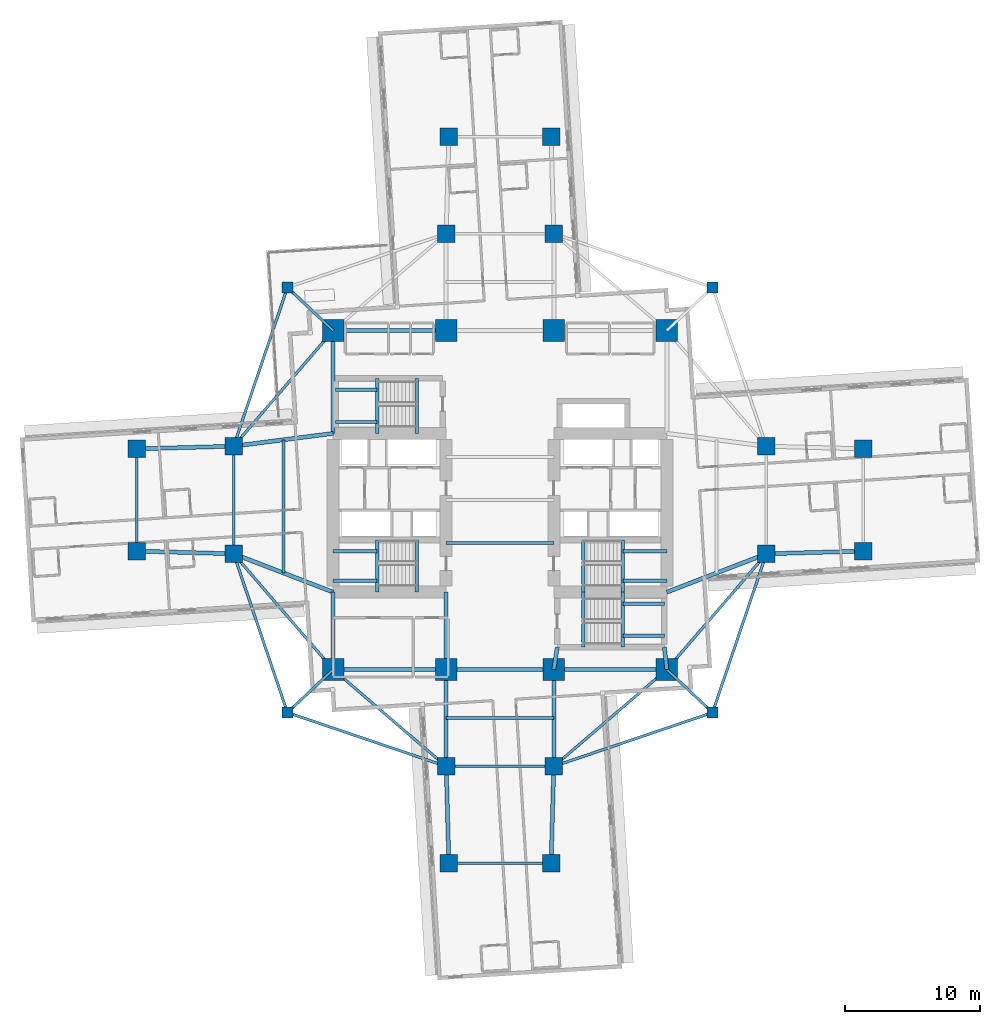
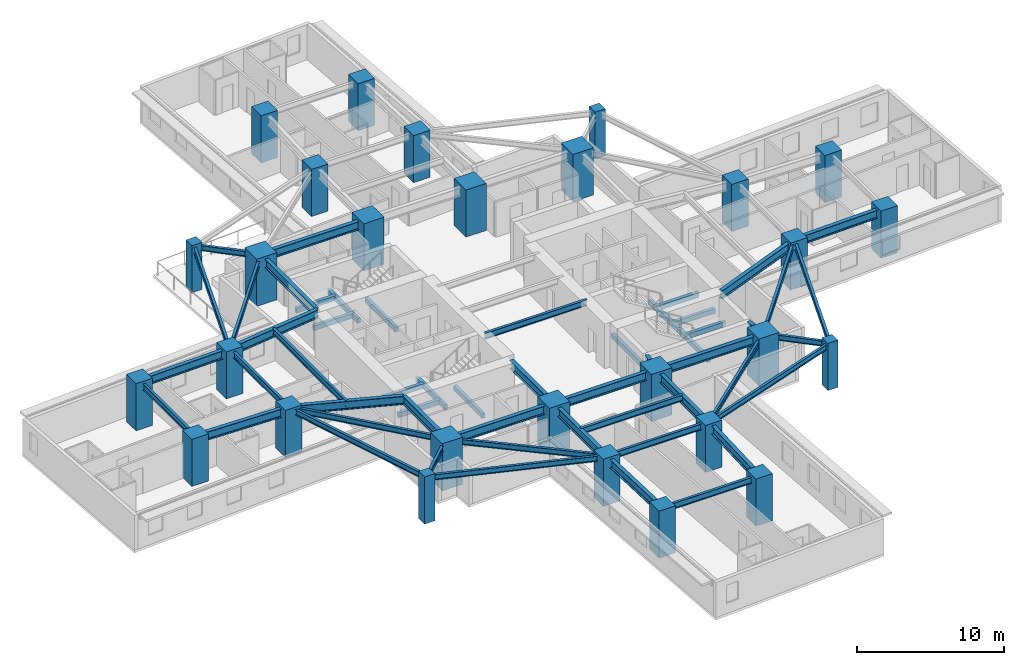
# One storey, part 1 of 14: 55 beams, 28 columns.
"""IFC4 building model written with IfcOpenShell, lengths in metres."""

from ifc_helpers import new_model, si_unit, direction, frame, origin, origin_2d, place, context, subcontext, project, spatial, rectangle, i_section, extrude, material, material_profile, profile_set, type_object, element, save


model = new_model("IFC4")

# Units and contexts
model_context = context("Model", 3, precision=1e-05, world=origin(), true_north=direction((0.0, 1.0)))
body_context = subcontext(model_context, "Body", "Model", "MODEL_VIEW")
ifc_project = project(units=[si_unit("LENGTHUNIT", "METRE"), si_unit("AREAUNIT", "SQUARE_METRE"), si_unit("VOLUMEUNIT", "CUBIC_METRE"), si_unit("PLANEANGLEUNIT", "RADIAN"), si_unit("MASSUNIT", "GRAM", prefix="KILO")], contexts=[model_context])

# Site, building, storey
site_placement = place(None, origin())
site = spatial("IfcSite", under=ifc_project, at=site_placement, CompositionType="ELEMENT")
building_placement = place(site_placement, origin())
building = spatial("IfcBuilding", under=site, at=building_placement, Name="Qingluan Cross Belvedere", CompositionType="ELEMENT")
storey_placement = place(building_placement, frame((0.0, 0.0, 39.300048828125)))
storey = spatial("IfcBuildingStorey", under=building, at=storey_placement, Name="L10", CompositionType="ELEMENT", Elevation=39.300048828125)

# Columns
ifc_material_1 = material(Name="Concrete C60", Category="concrete")
ifc_material_profile_1 = material_profile(ifc_material_1, rectangle(XDim=1.300048828125, YDim=1.300048828125, at=origin_2d()), Name="RC1300x1300")
ifc_profile_set_1 = profile_set([ifc_material_profile_1], Name="Concrete C60")
column_type_1 = type_object("IfcColumnType", Name="Column_RC1300x1300", PredefinedType="COLUMN", material=ifc_profile_set_1)
for number, where, z_axis, x_axis, name in (
    (1, (19.800048828125, -4.0, 0.0), (0.0, 0.0, 1.0), (1.0, 0.0, 0.0), "Arm column L10-EIA"),
    (2, (19.800048828125, 4.0, 0.0), (0.0, 0.0, 1.0), (1.0, 0.0, 0.0), "Arm column L10-EIB"),
    (3, (-19.800048828125, -4.0, 0.0), (0.0, 0.0, 1.0), (1.0, 0.0, 0.0), "Arm column L10-WIA"),
    (4, (-19.800048828125, 4.0, 0.0), (0.0, 0.0, 1.0), (1.0, 0.0, 0.0), "Arm column L10-WIB"),
    (5, (-4.0, -19.800048828125, 0.0), (0.0, 0.0, 1.0), (1.0, 0.0, 0.0), "Arm column L10-SIA"),
    (6, (4.0, -19.800048828125, 0.0), (0.0, 0.0, 1.0), (1.0, 0.0, 0.0), "Arm column L10-SIB"),
    (7, (-4.0, 19.800048828125, 0.0), (0.0, 0.0, 1.0), (1.0, 0.0, 0.0), "Arm column L10-NIA"),
    (8, (4.0, 19.800048828125, 0.0), (0.0, 0.0, 1.0), (1.0, 0.0, 0.0), "Arm column L10-NIB"),
    (9, (27.0, -3.800048828125, 0.0), (0.0, 0.0, 1.0), (1.0, 0.0, 0.0), "Arm column L10-EOA"),
    (10, (27.0, 3.800048828125, 0.0), (0.0, 0.0, 1.0), (1.0, 0.0, 0.0), "Arm column L10-EOB"),
    (11, (-27.0, -3.800048828125, 0.0), (0.0, 0.0, 1.0), (1.0, 0.0, 0.0), "Arm column L10-WOA"),
    (12, (-27.0, 3.800048828125, 0.0), (0.0, 0.0, 1.0), (1.0, 0.0, 0.0), "Arm column L10-WOB"),
    (13, (-3.800048828125, -27.0, 0.0), (0.0, 0.0, 1.0), (1.0, 0.0, 0.0), "Arm column L10-SOA"),
    (14, (3.800048828125, -27.0, 0.0), (0.0, 0.0, 1.0), (1.0, 0.0, 0.0), "Arm column L10-SOB"),
    (15, (-3.800048828125, 27.0, 0.0), (0.0, 0.0, 1.0), (1.0, 0.0, 0.0), "Arm column L10-NOA"),
    (16, (3.800048828125, 27.0, 0.0), (0.0, 0.0, 1.0), (1.0, 0.0, 0.0), "Arm column L10-NOB"),
):
    element("IfcColumn", number, at=place(storey_placement, frame(where, z_axis=z_axis, x_axis=x_axis)), inside=storey, type_object=column_type_1, Name=name, PredefinedType="COLUMN", context=body_context, shape_type="SweptSolid", body=[
        extrude(rectangle(XDim=1.300048828125, YDim=1.300048828125, at=origin_2d()), origin(), (0.0, 0.0, 1.0), 3.89990234375),
    ])
ifc_material_2 = material(Name="Concrete C70", Category="concrete")
ifc_material_profile_2 = material_profile(ifc_material_2, rectangle(XDim=1.60009765625, YDim=1.60009765625, at=origin_2d()), Name="RC1600x1600")
ifc_profile_set_2 = profile_set([ifc_material_profile_2], Name="Concrete C70")
column_type_2 = type_object("IfcColumnType", Name="Column_RC1600x1600", PredefinedType="COLUMN", material=ifc_profile_set_2)
for number, where, z_axis, x_axis, name in (
    (17, (-12.39990234375, -12.60009765625, 0.0), (0.0, 0.0, 1.0), (1.0, 0.0, 0.0), "Hub column L10-HC1"),
    (18, (12.39990234375, -12.60009765625, 0.0), (0.0, 0.0, 1.0), (1.0, 0.0, 0.0), "Hub column L10-HC2"),
    (19, (12.39990234375, 12.60009765625, 0.0), (0.0, 0.0, 1.0), (1.0, 0.0, 0.0), "Hub column L10-HC3"),
    (20, (-12.39990234375, 12.60009765625, 0.0), (0.0, 0.0, 1.0), (1.0, 0.0, 0.0), "Hub column L10-HC4"),
    (21, (-4.0, -12.60009765625, 0.0), (0.0, 0.0, 1.0), (1.0, 0.0, 0.0), "Hub column L10-HC5"),
    (22, (4.0, -12.60009765625, 0.0), (0.0, 0.0, 1.0), (1.0, 0.0, 0.0), "Hub column L10-HC6"),
    (23, (4.0, 12.60009765625, 0.0), (0.0, 0.0, 1.0), (1.0, 0.0, 0.0), "Hub column L10-HC7"),
    (24, (-4.0, 12.60009765625, 0.0), (0.0, 0.0, 1.0), (1.0, 0.0, 0.0), "Hub column L10-HC8"),
):
    element("IfcColumn", number, at=place(storey_placement, frame(where, z_axis=z_axis, x_axis=x_axis)), inside=storey, type_object=column_type_2, Name=name, PredefinedType="COLUMN", context=body_context, shape_type="SweptSolid", body=[
        extrude(rectangle(XDim=1.60009765625, YDim=1.60009765625, at=origin_2d()), origin(), (0.0, 0.0, 1.0), 3.89990234375),
    ])
ifc_material_3 = material(Name="Concrete C50", Category="concrete")
ifc_material_profile_3 = material_profile(ifc_material_3, rectangle(XDim=0.800048828125, YDim=0.800048828125, at=origin_2d()), Name="RC800x800")
ifc_profile_set_3 = profile_set([ifc_material_profile_3], Name="Concrete C50")
column_type_3 = type_object("IfcColumnType", Name="Column_RC800x800", PredefinedType="COLUMN", material=ifc_profile_set_3)
for number, where, z_axis, x_axis, name in (
    (25, (15.800048828125, 15.800048828125, 0.0), (0.0, 0.0, 1.0), (1.0, 0.0, 0.0), "Corner column L10-RNE"),
    (26, (-15.800048828125, 15.800048828125, 0.0), (0.0, 0.0, 1.0), (1.0, 0.0, 0.0), "Corner column L10-RNW"),
    (27, (-15.800048828125, -15.800048828125, 0.0), (0.0, 0.0, 1.0), (1.0, 0.0, 0.0), "Corner column L10-RSW"),
    (28, (15.800048828125, -15.800048828125, 0.0), (0.0, 0.0, 1.0), (1.0, 0.0, 0.0), "Corner column L10-RSE"),
):
    element("IfcColumn", number, at=place(storey_placement, frame(where, z_axis=z_axis, x_axis=x_axis)), inside=storey, type_object=column_type_3, Name=name, PredefinedType="COLUMN", context=body_context, shape_type="SweptSolid", body=[
        extrude(rectangle(XDim=0.800048828125, YDim=0.800048828125, at=origin_2d()), origin(), (0.0, 0.0, 1.0), 3.89990234375),
    ])

# Beams
ifc_material_4 = material(Name="Concrete C45", Category="concrete")
ifc_material_profile_4 = material_profile(ifc_material_4, rectangle(XDim=0.25, YDim=0.39990234375, at=origin_2d()), Name="RC250x400")
ifc_profile_set_4 = profile_set([ifc_material_profile_4], Name="Concrete C45")
beam_type_1 = type_object("IfcBeamType", Name="RC_Lintel_RC250x400", PredefinedType="LINTEL", material=ifc_profile_set_4)
for number, where, z_axis, x_axis, name in (
    (29, (-6.179931640625, -6.85009765625, -0.199951171875), (0.0, 1.0, 0.0), (-1.0, 0.0, 0.0), "Stair ST1 landing beam L10"),
    (30, (6.179931640625, -6.85009765625, -0.199951171875), (0.0, 1.0, 0.0), (-1.0, 0.0, 0.0), "Stair ST2 landing beam L10"),
):
    element("IfcBeam", number, at=place(storey_placement, frame(where, z_axis=z_axis, x_axis=x_axis)), inside=storey, type_object=beam_type_1, Name=name, PredefinedType="LINTEL", context=body_context, shape_type="SweptSolid", body=[
        extrude(rectangle(XDim=0.25, YDim=0.39990234375, at=origin_2d()), origin(), (0.0, 0.0, 1.0), 3.89013671875),
    ])
beam_1_placement = place(storey_placement, frame((-6.179931640625, 4.949951171875, -0.199951171875), z_axis=(0.0, 1.0, 0.0), x_axis=(-1.0, 0.0, 0.0)))
element("IfcBeam", 31, at=beam_1_placement, inside=storey, type_object=beam_type_1, Name="Stair ST3 landing beam L10", PredefinedType="LINTEL", context=body_context, shape_type="SweptSolid", body=[
    extrude(rectangle(XDim=0.25, YDim=0.39990234375, at=origin_2d()), origin(), (0.0, 0.0, 1.0), 4.090087890625),
])
beam_2_placement = place(storey_placement, frame((6.179931640625, -10.93994140625, -0.199951171875), z_axis=(0.0, 1.0, 0.0), x_axis=(-1.0, 0.0, 0.0)))
element("IfcBeam", 32, at=beam_2_placement, inside=storey, type_object=beam_type_1, Name="Stair ST4 landing beam L10", PredefinedType="LINTEL", context=body_context, shape_type="SweptSolid", body=[
    extrude(rectangle(XDim=0.25, YDim=0.39990234375, at=origin_2d()), origin(), (0.0, 0.0, 1.0), 4.08984375),
])
beam_3_placement = place(storey_placement, frame((-9.1298828125, -6.85009765625, 1.550048828125), z_axis=(0.0, 1.0, 0.0), x_axis=(-1.0, 0.0, 0.0)))
element("IfcBeam", 33, at=beam_3_placement, inside=storey, type_object=beam_type_1, Name="Stair ST1 beam A L10", PredefinedType="LINTEL", context=body_context, shape_type="SweptSolid", body=[
    extrude(rectangle(XDim=0.25, YDim=0.39990234375, at=origin_2d()), origin(), (0.0, 0.0, 1.0), 3.89013671875),
])
for number, where, z_axis, x_axis, name in (
    (34, (-12.39990234375, -6.0, 1.550048828125), (1.0, 0.0, 0.0), (0.0, 1.0, 0.0), "Stair ST1 beam B L10"),
    (35, (-12.39990234375, -3.81005859375, 1.550048828125), (1.0, 0.0, 0.0), (0.0, 1.0, 0.0), "Stair ST1 beam C L10"),
):
    element("IfcBeam", number, at=place(storey_placement, frame(where, z_axis=z_axis, x_axis=x_axis)), inside=storey, type_object=beam_type_1, Name=name, PredefinedType="LINTEL", context=body_context, shape_type="SweptSolid", body=[
        extrude(rectangle(XDim=0.25, YDim=0.39990234375, at=origin_2d()), origin(), (0.0, 0.0, 1.0), 3.27001953125),
    ])
beam_4_placement = place(storey_placement, frame((9.1298828125, -6.85009765625, 1.550048828125), z_axis=(0.0, 1.0, 0.0), x_axis=(-1.0, 0.0, 0.0)))
element("IfcBeam", 36, at=beam_4_placement, inside=storey, type_object=beam_type_1, Name="Stair ST2 beam A L10", PredefinedType="LINTEL", context=body_context, shape_type="SweptSolid", body=[
    extrude(rectangle(XDim=0.25, YDim=0.39990234375, at=origin_2d()), origin(), (0.0, 0.0, 1.0), 3.89013671875),
])
for number, where, z_axis, x_axis, name in (
    (37, (12.39990234375, -6.0, 1.550048828125), (-1.0, 0.0, 0.0), (0.0, -1.0, 0.0), "Stair ST2 beam B L10"),
    (38, (12.39990234375, -3.81005859375, 1.550048828125), (-1.0, 0.0, 0.0), (0.0, -1.0, 0.0), "Stair ST2 beam C L10"),
):
    element("IfcBeam", number, at=place(storey_placement, frame(where, z_axis=z_axis, x_axis=x_axis)), inside=storey, type_object=beam_type_1, Name=name, PredefinedType="LINTEL", context=body_context, shape_type="SweptSolid", body=[
        extrude(rectangle(XDim=0.25, YDim=0.39990234375, at=origin_2d()), origin(), (0.0, 0.0, 1.0), 3.27001953125),
    ])
beam_5_placement = place(storey_placement, frame((-9.1298828125, 4.949951171875, 1.550048828125), z_axis=(0.0, 1.0, 0.0), x_axis=(-1.0, 0.0, 0.0)))
element("IfcBeam", 39, at=beam_5_placement, inside=storey, type_object=beam_type_1, Name="Stair ST3 beam A L10", PredefinedType="LINTEL", context=body_context, shape_type="SweptSolid", body=[
    extrude(rectangle(XDim=0.25, YDim=0.39990234375, at=origin_2d()), origin(), (0.0, 0.0, 1.0), 4.090087890625),
])
for number, where, z_axis, x_axis, name in (
    (40, (-12.219970703125, 5.800048828125, 1.550048828125), (1.0, 0.0, 0.0), (0.0, 1.0, 0.0), "Stair ST3 beam B L10"),
    (41, (-12.219970703125, 8.18994140625, 1.550048828125), (1.0, 0.0, 0.0), (0.0, 1.0, 0.0), "Stair ST3 beam C L10"),
):
    element("IfcBeam", number, at=place(storey_placement, frame(where, z_axis=z_axis, x_axis=x_axis)), inside=storey, type_object=beam_type_1, Name=name, PredefinedType="LINTEL", context=body_context, shape_type="SweptSolid", body=[
        extrude(rectangle(XDim=0.25, YDim=0.39990234375, at=origin_2d()), origin(), (0.0, 0.0, 1.0), 3.090087890625),
    ])
beam_6_placement = place(storey_placement, frame((9.1298828125, -10.93994140625, 1.550048828125), z_axis=(0.0, 1.0, 0.0), x_axis=(-1.0, 0.0, 0.0)))
element("IfcBeam", 42, at=beam_6_placement, inside=storey, type_object=beam_type_1, Name="Stair ST4 beam A L10", PredefinedType="LINTEL", context=body_context, shape_type="SweptSolid", body=[
    extrude(rectangle(XDim=0.25, YDim=0.39990234375, at=origin_2d()), origin(), (0.0, 0.0, 1.0), 4.08984375),
])
for number, where, z_axis, x_axis, name in (
    (43, (12.219970703125, -10.090087890625, 1.550048828125), (-1.0, 0.0, 0.0), (0.0, -1.0, 0.0), "Stair ST4 beam B L10"),
    (44, (12.219970703125, -7.699951171875, 1.550048828125), (-1.0, 0.0, 0.0), (0.0, -1.0, 0.0), "Stair ST4 beam C L10"),
):
    element("IfcBeam", number, at=place(storey_placement, frame(where, z_axis=z_axis, x_axis=x_axis)), inside=storey, type_object=beam_type_1, Name=name, PredefinedType="LINTEL", context=body_context, shape_type="SweptSolid", body=[
        extrude(rectangle(XDim=0.25, YDim=0.39990234375, at=origin_2d()), origin(), (0.0, 0.0, 1.0), 3.090087890625),
    ])
ifc_material_5 = material(Name="Steel Q420GJB", Category="steel")
ifc_material_profile_5 = material_profile(ifc_material_5, i_section(OverallWidth=0.199951171875, OverallDepth=0.449951171875, WebThickness=0.009033203125, FlangeThickness=0.013916015625, FilletRadius=0.01611328125, at=origin_2d()), Name="HN450x200x9x14")
ifc_profile_set_5 = profile_set([ifc_material_profile_5], Name="Steel Q420GJB")
beam_type_2 = type_object("IfcBeamType", Name="Steel_Beam_HN450x200x9x14", PredefinedType="JOIST", material=ifc_profile_set_5)
beam_7_placement = place(storey_placement, frame((-12.39990234375, 12.60009765625, 3.454833984375), z_axis=(-0.728219948308, 0.685343495546, 0.0), x_axis=(-0.685343495546, -0.728219948308, 0.0)))
element("IfcBeam", 45, at=beam_7_placement, inside=storey, type_object=beam_type_2, Name="Corner beam 1 L10-RNW", PredefinedType="JOIST", context=body_context, shape_type="SweptSolid", body=[
    extrude(i_section(OverallWidth=0.199951171875, OverallDepth=0.449951171875, WebThickness=0.009033203125, FlangeThickness=0.013916015625, FilletRadius=0.01611328125, at=origin_2d()), origin(), (0.0, 0.0, 1.0), 4.669189453125),
])
beam_8_placement = place(storey_placement, frame((-15.800048828125, 15.800048828125, 3.454833984375), z_axis=(-0.321038089628, -0.947066283324, 0.0), x_axis=(0.947066283324, -0.321038089628, 0.0)))
element("IfcBeam", 46, at=beam_8_placement, inside=storey, type_object=beam_type_2, Name="Corner beam 3 L10-RNW", PredefinedType="JOIST", context=body_context, shape_type="SweptSolid", body=[
    extrude(i_section(OverallWidth=0.199951171875, OverallDepth=0.449951171875, WebThickness=0.009033203125, FlangeThickness=0.013916015625, FilletRadius=0.01611328125, at=origin_2d()), origin(), (0.0, 0.0, 1.0), 12.45947265625),
])
beam_9_placement = place(storey_placement, frame((-12.39990234375, 12.60009765625, 3.454833984375), z_axis=(-0.652245077546, -0.75800815221, 0.0), x_axis=(0.75800815221, -0.652245077546, 0.0)))
element("IfcBeam", 47, at=beam_9_placement, inside=storey, type_object=beam_type_2, Name="Corner beam 4 L10-RNW", PredefinedType="JOIST", context=body_context, shape_type="SweptSolid", body=[
    extrude(i_section(OverallWidth=0.199951171875, OverallDepth=0.449951171875, WebThickness=0.009033203125, FlangeThickness=0.013916015625, FilletRadius=0.01611328125, at=origin_2d()), origin(), (0.0, 0.0, 1.0), 11.345703125),
])
beam_10_placement = place(storey_placement, frame((-12.39990234375, -12.60009765625, 3.474853515625), z_axis=(-0.728219948308, -0.685343495546, 0.0), x_axis=(0.685343495546, -0.728219948308, 0.0)))
element("IfcBeam", 48, at=beam_10_placement, inside=storey, type_object=beam_type_2, Name="Corner beam 1 L10-RSW", PredefinedType="JOIST", context=body_context, shape_type="SweptSolid", body=[
    extrude(i_section(OverallWidth=0.199951171875, OverallDepth=0.449951171875, WebThickness=0.009033203125, FlangeThickness=0.013916015625, FilletRadius=0.01611328125, at=origin_2d()), origin(), (0.0, 0.0, 1.0), 4.669189453125),
])
for number, where, z_axis, x_axis, name in (
    (49, (-15.800048828125, -15.800048828125, 3.474853515625), (0.947066283324, -0.321038089628, 0.0), (0.321038089628, 0.947066283324, 0.0), "Corner beam 2 L10-RSW"),
    (50, (-15.800048828125, -15.800048828125, 3.474853515625), (-0.321038089628, 0.947066283324, 0.0), (-0.947066283324, -0.321038089628, 0.0), "Corner beam 3 L10-RSW"),
):
    element("IfcBeam", number, at=place(storey_placement, frame(where, z_axis=z_axis, x_axis=x_axis)), inside=storey, type_object=beam_type_2, Name=name, PredefinedType="JOIST", context=body_context, shape_type="SweptSolid", body=[
        extrude(i_section(OverallWidth=0.199951171875, OverallDepth=0.449951171875, WebThickness=0.009033203125, FlangeThickness=0.013916015625, FilletRadius=0.01611328125, at=origin_2d()), origin(), (0.0, 0.0, 1.0), 12.45947265625),
    ])
beam_11_placement = place(storey_placement, frame((-12.39990234375, -12.60009765625, 3.474853515625), z_axis=(-0.652245077546, 0.75800815221, 0.0), x_axis=(-0.75800815221, -0.652245077546, 0.0)))
element("IfcBeam", 51, at=beam_11_placement, inside=storey, type_object=beam_type_2, Name="Corner beam 4 L10-RSW", PredefinedType="JOIST", context=body_context, shape_type="SweptSolid", body=[
    extrude(i_section(OverallWidth=0.199951171875, OverallDepth=0.449951171875, WebThickness=0.009033203125, FlangeThickness=0.013916015625, FilletRadius=0.01611328125, at=origin_2d()), origin(), (0.0, 0.0, 1.0), 11.345703125),
])
beam_12_placement = place(storey_placement, frame((-12.39990234375, -12.60009765625, 3.474853515625), z_axis=(0.759255044656, -0.650793190779, 0.0), x_axis=(0.650793190779, 0.759255044656, 0.0)))
element("IfcBeam", 52, at=beam_12_placement, inside=storey, type_object=beam_type_2, Name="Corner beam 5 L10-RSW", PredefinedType="JOIST", context=body_context, shape_type="SweptSolid", body=[
    extrude(i_section(OverallWidth=0.199951171875, OverallDepth=0.449951171875, WebThickness=0.009033203125, FlangeThickness=0.013916015625, FilletRadius=0.01611328125, at=origin_2d()), origin(), (0.0, 0.0, 1.0), 11.063232421875),
])
beam_13_placement = place(storey_placement, frame((12.39990234375, -12.60009765625, 3.474853515625), z_axis=(0.728219948308, -0.685343495546, 0.0), x_axis=(0.685343495546, 0.728219948308, 0.0)))
element("IfcBeam", 53, at=beam_13_placement, inside=storey, type_object=beam_type_2, Name="Corner beam 1 L10-RSE", PredefinedType="JOIST", context=body_context, shape_type="SweptSolid", body=[
    extrude(i_section(OverallWidth=0.199951171875, OverallDepth=0.449951171875, WebThickness=0.009033203125, FlangeThickness=0.013916015625, FilletRadius=0.01611328125, at=origin_2d()), origin(), (0.0, 0.0, 1.0), 4.669189453125),
])
for number, where, z_axis, x_axis, name in (
    (54, (15.800048828125, -15.800048828125, 3.474853515625), (-0.947066283324, -0.321038089628, 0.0), (0.321038089628, -0.947066283324, 0.0), "Corner beam 2 L10-RSE"),
    (55, (15.800048828125, -15.800048828125, 3.474853515625), (0.321038089628, 0.947066283324, 0.0), (-0.947066283324, 0.321038089628, 0.0), "Corner beam 3 L10-RSE"),
):
    element("IfcBeam", number, at=place(storey_placement, frame(where, z_axis=z_axis, x_axis=x_axis)), inside=storey, type_object=beam_type_2, Name=name, PredefinedType="JOIST", context=body_context, shape_type="SweptSolid", body=[
        extrude(i_section(OverallWidth=0.199951171875, OverallDepth=0.449951171875, WebThickness=0.009033203125, FlangeThickness=0.013916015625, FilletRadius=0.01611328125, at=origin_2d()), origin(), (0.0, 0.0, 1.0), 12.45947265625),
    ])
beam_14_placement = place(storey_placement, frame((12.39990234375, -12.60009765625, 3.474853515625), z_axis=(0.652245077546, 0.75800815221, 0.0), x_axis=(-0.75800815221, 0.652245077546, 0.0)))
element("IfcBeam", 56, at=beam_14_placement, inside=storey, type_object=beam_type_2, Name="Corner beam 4 L10-RSE", PredefinedType="JOIST", context=body_context, shape_type="SweptSolid", body=[
    extrude(i_section(OverallWidth=0.199951171875, OverallDepth=0.449951171875, WebThickness=0.009033203125, FlangeThickness=0.013916015625, FilletRadius=0.01611328125, at=origin_2d()), origin(), (0.0, 0.0, 1.0), 11.345703125),
])
beam_15_placement = place(storey_placement, frame((12.39990234375, -12.60009765625, 3.474853515625), z_axis=(-0.759255044656, -0.650793190779, 0.0), x_axis=(0.650793190779, -0.759255044656, 0.0)))
element("IfcBeam", 57, at=beam_15_placement, inside=storey, type_object=beam_type_2, Name="Corner beam 5 L10-RSE", PredefinedType="JOIST", context=body_context, shape_type="SweptSolid", body=[
    extrude(i_section(OverallWidth=0.199951171875, OverallDepth=0.449951171875, WebThickness=0.009033203125, FlangeThickness=0.013916015625, FilletRadius=0.01611328125, at=origin_2d()), origin(), (0.0, 0.0, 1.0), 11.063232421875),
])
ifc_material_6 = material(Name="Steel Q420GJB", Category="steel")
ifc_material_profile_6 = material_profile(ifc_material_6, i_section(OverallWidth=0.199951171875, OverallDepth=0.5, WebThickness=0.010009765625, FlangeThickness=0.01611328125, FilletRadius=0.01611328125, at=origin_2d()), Name="HN500x200x10x16")
ifc_profile_set_6 = profile_set([ifc_material_profile_6], Name="Steel Q420GJB")
beam_type_3 = type_object("IfcBeamType", Name="Steel_Beam_HN500x200x10x16", PredefinedType="JOIST", material=ifc_profile_set_6)
for number, where, z_axis, x_axis, name in (
    (58, (-4.0, -3.199951171875, 3.449951171875), (1.0, 0.0, 0.0), (0.0, 1.0, 0.0), "Hall beam L10-CH1"),
    (59, (-19.800048828125, -4.0, 3.449951171875), (0.0, 1.0, 0.0), (-1.0, 0.0, 0.0), "Arm W tie L10"),
):
    element("IfcBeam", number, at=place(storey_placement, frame(where, z_axis=z_axis, x_axis=x_axis)), inside=storey, type_object=beam_type_3, Name=name, PredefinedType="JOIST", context=body_context, shape_type="SweptSolid", body=[
        extrude(i_section(OverallWidth=0.199951171875, OverallDepth=0.5, WebThickness=0.010009765625, FlangeThickness=0.01611328125, FilletRadius=0.01611328125, at=origin_2d()), origin(), (0.0, 0.0, 1.0), 8.0),
    ])
beam_16_placement = place(storey_placement, frame((-16.10009765625, -5.425048828125, 3.449951171875), z_axis=(0.0, 1.0, 0.0), x_axis=(-1.0, 0.0, 0.0)))
element("IfcBeam", 60, at=beam_16_placement, inside=storey, type_object=beam_type_3, Name="Arm W beam L10", PredefinedType="JOIST", context=body_context, shape_type="SweptSolid", body=[
    extrude(i_section(OverallWidth=0.199951171875, OverallDepth=0.5, WebThickness=0.010009765625, FlangeThickness=0.01611328125, FilletRadius=0.01611328125, at=origin_2d()), origin(), (0.0, 0.0, 1.0), 9.900146484375),
])
beam_17_placement = place(storey_placement, frame((-27.0, -3.800048828125, 3.449951171875), z_axis=(0.0, 1.0, 0.0), x_axis=(-1.0, 0.0, 0.0)))
element("IfcBeam", 61, at=beam_17_placement, inside=storey, type_object=beam_type_3, Name="Arm W tip transverse beam L10", PredefinedType="JOIST", context=body_context, shape_type="SweptSolid", body=[
    extrude(i_section(OverallWidth=0.199951171875, OverallDepth=0.5, WebThickness=0.010009765625, FlangeThickness=0.01611328125, FilletRadius=0.01611328125, at=origin_2d()), origin(), (0.0, 0.0, 1.0), 7.60009765625),
])
for number, where, z_axis, x_axis, name in (
    (62, (-4.0, -19.800048828125, 3.449951171875), (1.0, 0.0, 0.0), (0.0, 1.0, 0.0), "Arm S tie L10"),
    (63, (-4.0, -16.199951171875, 3.449951171875), (1.0, 0.0, 0.0), (0.0, 1.0, 0.0), "Arm S beam L10"),
):
    element("IfcBeam", number, at=place(storey_placement, frame(where, z_axis=z_axis, x_axis=x_axis)), inside=storey, type_object=beam_type_3, Name=name, PredefinedType="JOIST", context=body_context, shape_type="SweptSolid", body=[
        extrude(i_section(OverallWidth=0.199951171875, OverallDepth=0.5, WebThickness=0.010009765625, FlangeThickness=0.01611328125, FilletRadius=0.01611328125, at=origin_2d()), origin(), (0.0, 0.0, 1.0), 8.0),
    ])
beam_18_placement = place(storey_placement, frame((-3.800048828125, -27.0, 3.449951171875), z_axis=(1.0, 0.0, 0.0), x_axis=(0.0, 1.0, 0.0)))
element("IfcBeam", 64, at=beam_18_placement, inside=storey, type_object=beam_type_3, Name="Arm S tip transverse beam L10", PredefinedType="JOIST", context=body_context, shape_type="SweptSolid", body=[
    extrude(i_section(OverallWidth=0.199951171875, OverallDepth=0.5, WebThickness=0.010009765625, FlangeThickness=0.01611328125, FilletRadius=0.01611328125, at=origin_2d()), origin(), (0.0, 0.0, 1.0), 7.60009765625),
])
ifc_material_7 = material(Name="Steel Q420GJB", Category="steel")
ifc_material_profile_7 = material_profile(ifc_material_7, i_section(OverallWidth=0.300048828125, OverallDepth=0.699951171875, WebThickness=0.014892578125, FlangeThickness=0.027099609375, FilletRadius=0.027099609375, at=origin_2d()), Name="HEB700")
ifc_profile_set_7 = profile_set([ifc_material_profile_7], Name="Steel Q420GJB")
beam_type_4 = type_object("IfcBeamType", Name="Steel_Girder_HEB700", PredefinedType="USERDEFINED", material=ifc_profile_set_7)
beam_19_placement = place(storey_placement, frame((-12.39990234375, -12.60009765625, 3.349853515625), z_axis=(1.0, 0.0, 0.0), x_axis=(0.0, 1.0, 0.0)))
element("IfcBeam", 65, at=beam_19_placement, inside=storey, type_object=beam_type_4, Name="Hub girder L10-HG-S1", ObjectType="GIRDER", PredefinedType="USERDEFINED", context=body_context, shape_type="SweptSolid", body=[
    extrude(i_section(OverallWidth=0.300048828125, OverallDepth=0.699951171875, WebThickness=0.014892578125, FlangeThickness=0.027099609375, FilletRadius=0.027099609375, at=origin_2d()), origin(), (0.0, 0.0, 1.0), 8.39990234375),
])
beam_20_placement = place(storey_placement, frame((-4.0, -12.60009765625, 3.349853515625), z_axis=(1.0, 0.0, 0.0), x_axis=(0.0, 1.0, 0.0)))
element("IfcBeam", 66, at=beam_20_placement, inside=storey, type_object=beam_type_4, Name="Hub girder L10-HG-S2", ObjectType="GIRDER", PredefinedType="USERDEFINED", context=body_context, shape_type="SweptSolid", body=[
    extrude(i_section(OverallWidth=0.300048828125, OverallDepth=0.699951171875, WebThickness=0.014892578125, FlangeThickness=0.027099609375, FilletRadius=0.027099609375, at=origin_2d()), origin(), (0.0, 0.0, 1.0), 8.0),
])
for number, where, z_axis, x_axis, name in (
    (67, (4.0, -12.60009765625, 3.349853515625), (1.0, 0.0, 0.0), (0.0, 1.0, 0.0), "Hub girder L10-HG-S3"),
    (68, (-12.39990234375, 12.60009765625, 3.349853515625), (1.0, 0.0, 0.0), (0.0, 1.0, 0.0), "Hub girder L10-HG-N1"),
):
    element("IfcBeam", number, at=place(storey_placement, frame(where, z_axis=z_axis, x_axis=x_axis)), inside=storey, type_object=beam_type_4, Name=name, ObjectType="GIRDER", PredefinedType="USERDEFINED", context=body_context, shape_type="SweptSolid", body=[
        extrude(i_section(OverallWidth=0.300048828125, OverallDepth=0.699951171875, WebThickness=0.014892578125, FlangeThickness=0.027099609375, FilletRadius=0.027099609375, at=origin_2d()), origin(), (0.0, 0.0, 1.0), 8.39990234375),
    ])
beam_21_placement = place(storey_placement, frame((-12.39990234375, -12.60009765625, 3.349853515625), z_axis=(0.0, 1.0, 0.0), x_axis=(-1.0, 0.0, 0.0)))
element("IfcBeam", 69, at=beam_21_placement, inside=storey, type_object=beam_type_4, Name="Hub girder L10-HG-W1", ObjectType="GIRDER", PredefinedType="USERDEFINED", context=body_context, shape_type="SweptSolid", body=[
    extrude(i_section(OverallWidth=0.300048828125, OverallDepth=0.699951171875, WebThickness=0.014892578125, FlangeThickness=0.027099609375, FilletRadius=0.027099609375, at=origin_2d()), origin(), (0.0, 0.0, 1.0), 5.75),
])
beam_22_placement = place(storey_placement, frame((-12.39990234375, 4.949951171875, 3.349853515625), z_axis=(0.0, 1.0, 0.0), x_axis=(-1.0, 0.0, 0.0)))
element("IfcBeam", 70, at=beam_22_placement, inside=storey, type_object=beam_type_4, Name="Hub girder L10-HG-W2", ObjectType="GIRDER", PredefinedType="USERDEFINED", context=body_context, shape_type="SweptSolid", body=[
    extrude(i_section(OverallWidth=0.300048828125, OverallDepth=0.699951171875, WebThickness=0.014892578125, FlangeThickness=0.027099609375, FilletRadius=0.027099609375, at=origin_2d()), origin(), (0.0, 0.0, 1.0), 7.650146484375),
])
beam_23_placement = place(storey_placement, frame((12.39990234375, -12.60009765625, 3.349853515625), z_axis=(-0.107751337451, 0.994177876075, 0.0), x_axis=(-0.994177876075, -0.107751337451, 0.0)))
element("IfcBeam", 71, at=beam_23_placement, inside=storey, type_object=beam_type_4, Name="Hub girder L10-HG-E1", ObjectType="GIRDER", PredefinedType="USERDEFINED", context=body_context, shape_type="SweptSolid", body=[
    extrude(i_section(OverallWidth=0.300048828125, OverallDepth=0.699951171875, WebThickness=0.014892578125, FlangeThickness=0.027099609375, FilletRadius=0.027099609375, at=origin_2d()), origin(), (0.0, 0.0, 1.0), 1.669921875),
])
beam_24_placement = place(storey_placement, frame((-4.0, -12.60009765625, 3.349853515625), z_axis=(0.0, 1.0, 0.0), x_axis=(-1.0, 0.0, 0.0)))
element("IfcBeam", 72, at=beam_24_placement, inside=storey, type_object=beam_type_4, Name="Hub girder L10-HG-CW", ObjectType="GIRDER", PredefinedType="USERDEFINED", context=body_context, shape_type="SweptSolid", body=[
    extrude(i_section(OverallWidth=0.300048828125, OverallDepth=0.699951171875, WebThickness=0.014892578125, FlangeThickness=0.027099609375, FilletRadius=0.027099609375, at=origin_2d()), origin(), (0.0, 0.0, 1.0), 5.75),
])
beam_25_placement = place(storey_placement, frame((4.0, -12.60009765625, 3.349853515625), z_axis=(0.154731433337, 0.987956569662, 0.0), x_axis=(-0.987956569662, 0.154731433337, 0.0)))
element("IfcBeam", 73, at=beam_25_placement, inside=storey, type_object=beam_type_4, Name="Hub girder L10-HG-CE", ObjectType="GIRDER", PredefinedType="USERDEFINED", context=body_context, shape_type="SweptSolid", body=[
    extrude(i_section(OverallWidth=0.300048828125, OverallDepth=0.699951171875, WebThickness=0.014892578125, FlangeThickness=0.027099609375, FilletRadius=0.027099609375, at=origin_2d()), origin(), (0.0, 0.0, 1.0), 1.680419921875),
])
beam_26_placement = place(storey_placement, frame((12.39990234375, -6.85009765625, 3.349853515625), z_axis=(0.933181258889, 0.359406090735, 0.0), x_axis=(-0.359406090735, 0.933181258889, 0.0)))
element("IfcBeam", 74, at=beam_26_placement, inside=storey, type_object=beam_type_4, Name="Arm E radial girder A L10", ObjectType="GIRDER", PredefinedType="USERDEFINED", context=body_context, shape_type="SweptSolid", body=[
    extrude(i_section(OverallWidth=0.300048828125, OverallDepth=0.699951171875, WebThickness=0.014892578125, FlangeThickness=0.027099609375, FilletRadius=0.027099609375, at=origin_2d()), origin(), (0.0, 0.0, 1.0), 7.929931640625),
])
beam_27_placement = place(storey_placement, frame((19.800048828125, -4.0, 3.349853515625), z_axis=(0.999614603568, 0.027760481514, 0.0), x_axis=(-0.027760481514, 0.999614603568, 0.0)))
element("IfcBeam", 75, at=beam_27_placement, inside=storey, type_object=beam_type_4, Name="Arm E outer radial girder A L10", ObjectType="GIRDER", PredefinedType="USERDEFINED", context=body_context, shape_type="SweptSolid", body=[
    extrude(i_section(OverallWidth=0.300048828125, OverallDepth=0.699951171875, WebThickness=0.014892578125, FlangeThickness=0.027099609375, FilletRadius=0.027099609375, at=origin_2d()), origin(), (0.0, 0.0, 1.0), 7.20263671875),
])
beam_28_placement = place(storey_placement, frame((-12.39990234375, -6.85009765625, 3.349853515625), z_axis=(-0.933181258889, 0.359406090735, 0.0), x_axis=(-0.359406090735, -0.933181258889, 0.0)))
element("IfcBeam", 76, at=beam_28_placement, inside=storey, type_object=beam_type_4, Name="Arm W radial girder A L10", ObjectType="GIRDER", PredefinedType="USERDEFINED", context=body_context, shape_type="SweptSolid", body=[
    extrude(i_section(OverallWidth=0.300048828125, OverallDepth=0.699951171875, WebThickness=0.014892578125, FlangeThickness=0.027099609375, FilletRadius=0.027099609375, at=origin_2d()), origin(), (0.0, 0.0, 1.0), 7.929931640625),
])
beam_29_placement = place(storey_placement, frame((-12.39990234375, 4.949951171875, 3.349853515625), z_axis=(-0.991861120628, -0.12732445714, 0.0), x_axis=(0.12732445714, -0.991861120628, 0.0)))
element("IfcBeam", 77, at=beam_29_placement, inside=storey, type_object=beam_type_4, Name="Arm W radial girder B L10", ObjectType="GIRDER", PredefinedType="USERDEFINED", context=body_context, shape_type="SweptSolid", body=[
    extrude(i_section(OverallWidth=0.300048828125, OverallDepth=0.699951171875, WebThickness=0.014892578125, FlangeThickness=0.027099609375, FilletRadius=0.027099609375, at=origin_2d()), origin(), (0.0, 0.0, 1.0), 7.4609375),
])
for number, where, z_axis, x_axis, name in (
    (78, (-19.800048828125, -4.0, 3.349853515625), (-0.999614603568, 0.027760481514, 0.0), (-0.027760481514, -0.999614603568, 0.0), "Arm W outer radial girder A L10"),
    (79, (-19.800048828125, 4.0, 3.349853515625), (-0.999614603568, -0.027760481514, 0.0), (0.027760481514, -0.999614603568, 0.0), "Arm W outer radial girder B L10"),
):
    element("IfcBeam", number, at=place(storey_placement, frame(where, z_axis=z_axis, x_axis=x_axis)), inside=storey, type_object=beam_type_4, Name=name, ObjectType="GIRDER", PredefinedType="USERDEFINED", context=body_context, shape_type="SweptSolid", body=[
        extrude(i_section(OverallWidth=0.300048828125, OverallDepth=0.699951171875, WebThickness=0.014892578125, FlangeThickness=0.027099609375, FilletRadius=0.027099609375, at=origin_2d()), origin(), (0.0, 0.0, 1.0), 7.20263671875),
    ])
for number, where, z_axis, x_axis, name in (
    (80, (-4.0, -12.60009765625, 3.349853515625), (0.0, -1.0, 0.0), (1.0, 0.0, 0.0), "Arm S radial girder A L10"),
    (81, (4.0, -12.60009765625, 3.349853515625), (0.0, -1.0, 0.0), (1.0, 0.0, 0.0), "Arm S radial girder B L10"),
):
    element("IfcBeam", number, at=place(storey_placement, frame(where, z_axis=z_axis, x_axis=x_axis)), inside=storey, type_object=beam_type_4, Name=name, ObjectType="GIRDER", PredefinedType="USERDEFINED", context=body_context, shape_type="SweptSolid", body=[
        extrude(i_section(OverallWidth=0.300048828125, OverallDepth=0.699951171875, WebThickness=0.014892578125, FlangeThickness=0.027099609375, FilletRadius=0.027099609375, at=origin_2d()), origin(), (0.0, 0.0, 1.0), 7.199951171875),
    ])
for number, where, z_axis, x_axis, name in (
    (82, (-4.0, -19.800048828125, 3.349853515625), (0.027760481514, -0.999614603568, 0.0), (0.999614603568, 0.027760481514, 0.0), "Arm S outer radial girder A L10"),
    (83, (4.0, -19.800048828125, 3.349853515625), (-0.027760481514, -0.999614603568, 0.0), (0.999614603568, -0.027760481514, 0.0), "Arm S outer radial girder B L10"),
):
    element("IfcBeam", number, at=place(storey_placement, frame(where, z_axis=z_axis, x_axis=x_axis)), inside=storey, type_object=beam_type_4, Name=name, ObjectType="GIRDER", PredefinedType="USERDEFINED", context=body_context, shape_type="SweptSolid", body=[
        extrude(i_section(OverallWidth=0.300048828125, OverallDepth=0.699951171875, WebThickness=0.014892578125, FlangeThickness=0.027099609375, FilletRadius=0.027099609375, at=origin_2d()), origin(), (0.0, 0.0, 1.0), 7.20263671875),
    ])

save(model, "model.ifc")
